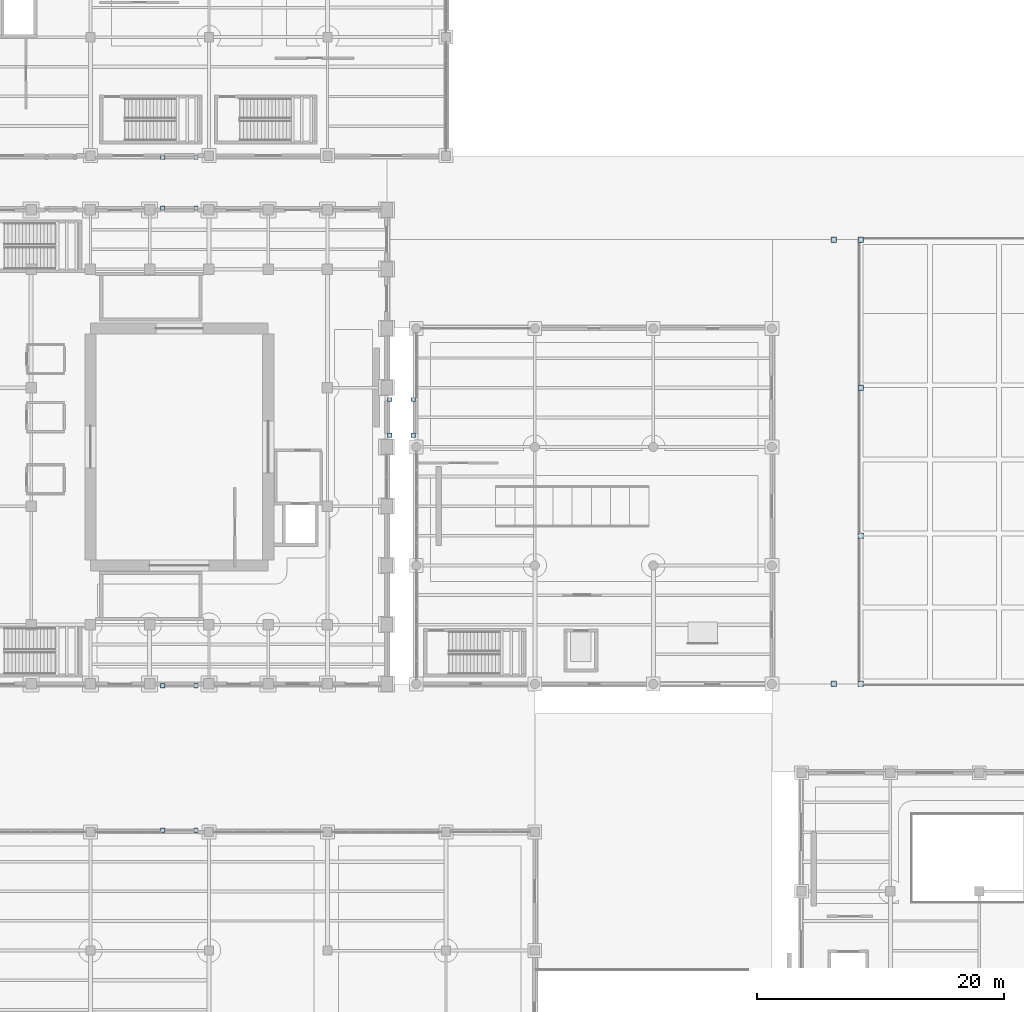
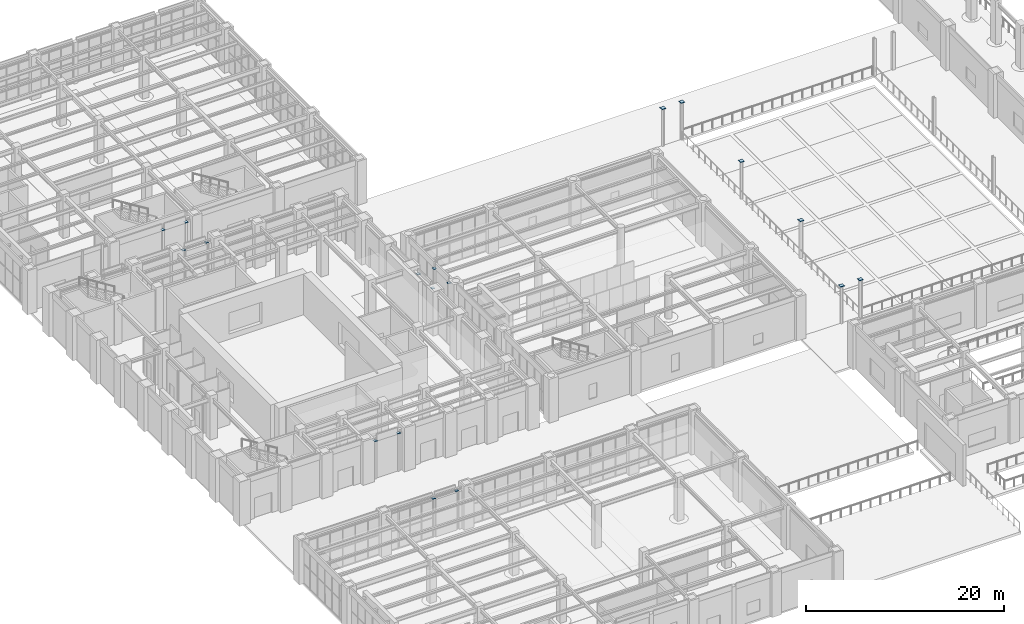
# One storey, part 126 of 164: 18 plates.
"""IFC4 building model written with IfcOpenShell, lengths in metres."""

from ifc_helpers import new_model, si_unit, direction, frame, origin, origin_2d, place, context, subcontext, project, spatial, rectangle, extrude, material, layer, layer_set, type_object, element, save


model = new_model("IFC4")

# Units and contexts
model_context = context("Model", 3, precision=1e-05, world=origin(), true_north=direction((0.0, 1.0)))
body_context = subcontext(model_context, "Body", "Model", "MODEL_VIEW")
ifc_project = project(units=[si_unit("LENGTHUNIT", "METRE"), si_unit("AREAUNIT", "SQUARE_METRE"), si_unit("VOLUMEUNIT", "CUBIC_METRE"), si_unit("PLANEANGLEUNIT", "RADIAN"), si_unit("MASSUNIT", "GRAM", prefix="KILO")], contexts=[model_context])

# Site, building, storey
site_placement = place(None, origin())
site = spatial("IfcSite", under=ifc_project, at=site_placement, CompositionType="ELEMENT")
building_placement = place(site_placement, origin())
building = spatial("IfcBuilding", under=site, at=building_placement, Name="Mavantir Sound Aquarium", CompositionType="ELEMENT")
storey_placement = place(building_placement, origin())
storey = spatial("IfcBuildingStorey", under=building, at=storey_placement, Name="L00", CompositionType="ELEMENT", Elevation=0.0)

# Plates
ifc_material = material(Name="Structural Steel ASTM A572 Gr50", Category="steel")
ifc_layer = layer(ifc_material, 0.02001953125, Name="Structural Steel ASTM A572 Gr50")
ifc_layer_set = layer_set([ifc_layer], Name="Structural Steel ASTM A572 Gr50")
plate_type = type_object("IfcPlateType", Name="PLT-ENDCAP-20", PredefinedType="SHEET", material=ifc_layer_set)
for number, where, z_axis, x_axis, name in (
    (1, (72.0, 40.800048828125, 4.60009765625), (0.0, 0.0, 1.0), (1.0, 0.0, 0.0), "Colonnade pier cap plate 1"),
    (2, (72.0, 52.800048828125, 4.60009765625), (0.0, 0.0, 1.0), (1.0, 0.0, 0.0), "Colonnade pier cap plate 2"),
    (3, (72.0, 64.800048828125, 4.60009765625), (0.0, 0.0, 1.0), (1.0, 0.0, 0.0), "Colonnade pier cap plate 3"),
    (4, (72.0, 76.800048828125, 4.60009765625), (0.0, 0.0, 1.0), (1.0, 0.0, 0.0), "Colonnade pier cap plate 4"),
    (5, (69.800048828125, 40.800048828125, 4.60009765625), (0.0, 0.0, 1.0), (1.0, 0.0, 0.0), "Colonnade pier cap plate 5"),
    (6, (69.800048828125, 76.800048828125, 4.60009765625), (0.0, 0.0, 1.0), (1.0, 0.0, 0.0), "Colonnade pier cap plate 6"),
):
    element("IfcPlate", number, at=place(storey_placement, frame(where, z_axis=z_axis, x_axis=x_axis)), inside=storey, type_object=plate_type, Name=name, PredefinedType="SHEET", context=body_context, shape_type="SweptSolid", body=[
        extrude(rectangle(XDim=0.43994140625, YDim=0.43994140625, at=origin_2d()), origin(), (0.0, 0.0, 1.0), 0.02001953125),
    ])
for number, where, z_axis, x_axis, name in (
    (7, (33.85009765625, 60.949951171875, 4.65087890625), (0.0, 0.0, 1.0), (1.0, 0.0, 0.0), "Bridge hollow column 1.1 top cap plate NP-02"),
    (8, (33.85009765625, 63.85009765625, 4.65087890625), (0.0, 0.0, 1.0), (1.0, 0.0, 0.0), "Bridge hollow column 1.2 top cap plate NP-02"),
    (9, (35.75, 60.949951171875, 4.65087890625), (0.0, 0.0, 1.0), (1.0, 0.0, 0.0), "Bridge hollow column 1.3 top cap plate NP-02"),
    (10, (35.75, 63.85009765625, 4.65087890625), (0.0, 0.0, 1.0), (1.0, 0.0, 0.0), "Bridge hollow column 1.4 top cap plate NP-02"),
    (11, (15.449951171875, 28.949951171875, 4.65087890625), (0.0, 0.0, 1.0), (1.0, 0.0, 0.0), "Bridge hollow column 2.1 top cap plate NP-02"),
    (12, (15.449951171875, 40.64990234375, 4.65087890625), (0.0, 0.0, 1.0), (1.0, 0.0, 0.0), "Bridge hollow column 2.2 top cap plate NP-02"),
    (13, (18.14990234375, 28.949951171875, 4.65087890625), (0.0, 0.0, 1.0), (1.0, 0.0, 0.0), "Bridge hollow column 2.3 top cap plate NP-02"),
    (14, (18.14990234375, 40.64990234375, 4.65087890625), (0.0, 0.0, 1.0), (1.0, 0.0, 0.0), "Bridge hollow column 2.4 top cap plate NP-02"),
    (15, (15.449951171875, 79.35009765625, 4.65087890625), (0.0, 0.0, 1.0), (1.0, 0.0, 0.0), "Bridge hollow column 3.1 top cap plate NP-02"),
    (16, (15.449951171875, 83.449951171875, 4.65087890625), (0.0, 0.0, 1.0), (1.0, 0.0, 0.0), "Bridge hollow column 3.2 top cap plate NP-02"),
    (17, (18.14990234375, 79.35009765625, 4.65087890625), (0.0, 0.0, 1.0), (1.0, 0.0, 0.0), "Bridge hollow column 3.3 top cap plate NP-02"),
    (18, (18.14990234375, 83.449951171875, 4.65087890625), (0.0, 0.0, 1.0), (1.0, 0.0, 0.0), "Bridge hollow column 3.4 top cap plate NP-02"),
):
    element("IfcPlate", number, at=place(storey_placement, frame(where, z_axis=z_axis, x_axis=x_axis)), inside=storey, type_object=plate_type, Name=name, PredefinedType="SHEET", context=body_context, shape_type="SweptSolid", body=[
        extrude(rectangle(XDim=0.340087890625, YDim=0.340087890625, at=origin_2d()), origin(), (0.0, 0.0, 1.0), 0.02001953125),
    ])

save(model, "model.ifc")
